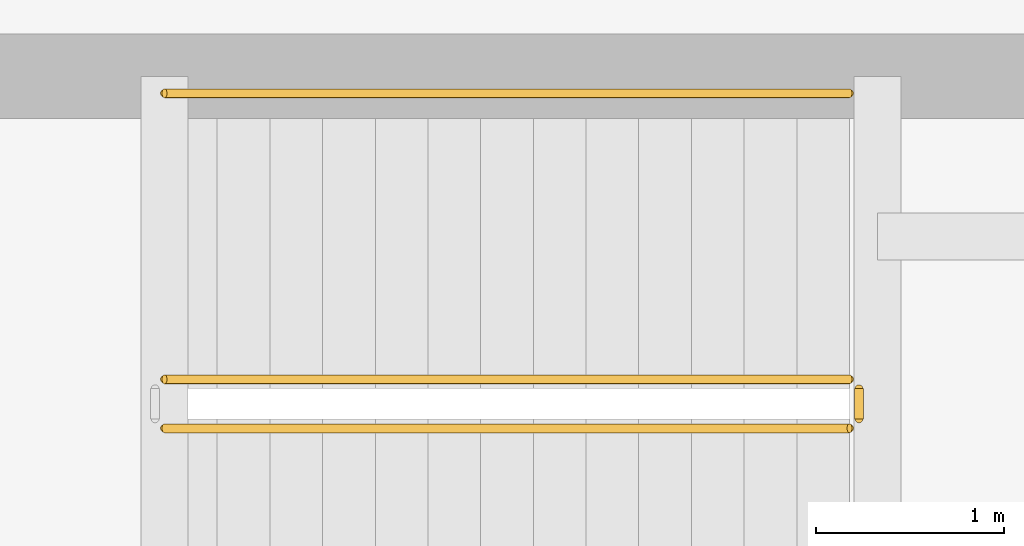
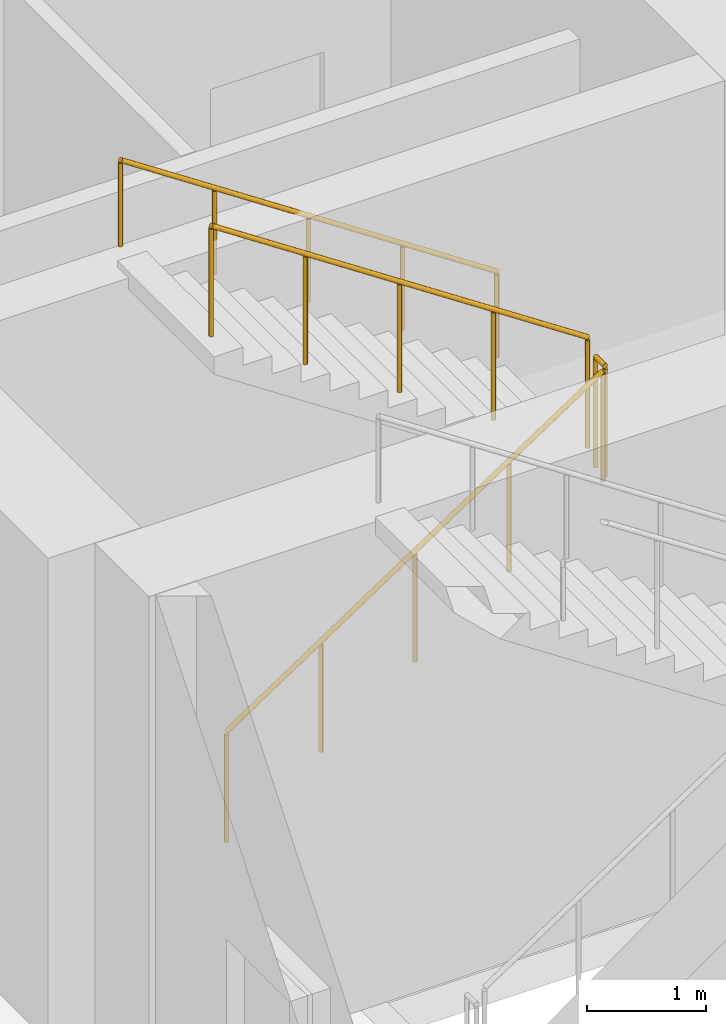
# One storey, part 11 of 12: 4 railings.
"""IFC4 building model written with IfcOpenShell, lengths in metres."""

from ifc_helpers import new_model, si_unit, direction, frame, origin, origin_2d, place, context, subcontext, project, spatial, circle, extrude, material, type_object, element, save


model = new_model("IFC4")

# Units and contexts
model_context = context("Model", 3, precision=1e-05, world=origin(), true_north=direction((0.0, 1.0)))
body_context = subcontext(model_context, "Body", "Model", "MODEL_VIEW")
ifc_project = project(units=[si_unit("LENGTHUNIT", "METRE"), si_unit("AREAUNIT", "SQUARE_METRE"), si_unit("VOLUMEUNIT", "CUBIC_METRE"), si_unit("PLANEANGLEUNIT", "RADIAN"), si_unit("MASSUNIT", "GRAM", prefix="KILO")], contexts=[model_context])

# Site, building, storey
site_placement = place(None, origin())
site = spatial("IfcSite", under=ifc_project, at=site_placement, CompositionType="ELEMENT")
building_placement = place(site_placement, origin())
building = spatial("IfcBuilding", under=site, at=building_placement, Name="Qingluan Cross Belvedere", CompositionType="ELEMENT")
storey_placement = place(building_placement, frame((0.0, 0.0, -5.199951171875)))
storey = spatial("IfcBuildingStorey", under=building, at=storey_placement, Name="B1", CompositionType="ELEMENT", Elevation=-5.199951171875)

# Railings
ifc_material_1 = material(Name="Brushed stainless steel tubular handrail", Category="steel")
railing_type_1 = type_object("IfcRailingType", Name="StairPitchHandrail_900", PredefinedType="HANDRAIL", material=ifc_material_1)
railing_1_placement = place(storey_placement, frame((9.820068359375, -3.050048828125, 2.78564453125)))
element("IfcRailing", 1, at=railing_1_placement, inside=storey, type_object=railing_type_1, Name="B1 ST2 stair handrail 2", PredefinedType="HANDRAIL", context=body_context, shape_type="SweptSolid", body=[
    extrude(circle(Radius=0.02392578125, at=origin_2d()), frame((0.0, 0.0, 0.8759765625), z_axis=(-0.833363587613, 0.0, 0.552725185641), x_axis=(0.0, -1.0, 0.0)), (0.0, 0.0, 1.0), 4.367919921875),
    extrude(circle(Radius=0.02099609375, at=origin_2d()), origin(), (0.0, 0.0, 1.0), 0.851806640625),
    extrude(circle(Radius=0.02099609375, at=origin_2d()), frame((-0.91015625, 0.0, 0.603515625)), (0.0, 0.0, 1.0), 0.851806640625),
    extrude(circle(Radius=0.02099609375, at=origin_2d()), frame((-1.820068359375, 0.0, 1.20703125)), (0.0, 0.0, 1.0), 0.851806640625),
    extrude(circle(Radius=0.02099609375, at=origin_2d()), frame((-2.72998046875, 0.0, 1.810791015625)), (0.0, 0.0, 1.0), 0.851806640625),
    extrude(circle(Radius=0.02099609375, at=origin_2d()), frame((-3.64013671875, 0.0, 2.414306640625)), (0.0, 0.0, 1.0), 0.851806640625),
])
ifc_material_2 = material(Name="Painted steel stair well guard", Category="steel")
railing_type_2 = type_object("IfcRailingType", Name="StairWellGuard_1150", PredefinedType="BALUSTRADE", material=ifc_material_2)
railing_2_placement = place(storey_placement, frame((6.179931640625, -4.830078125, 0.185546875)))
element("IfcRailing", 2, at=railing_2_placement, inside=storey, type_object=railing_type_2, Name="B1 ST2 stair guard 1", PredefinedType="BALUSTRADE", context=body_context, shape_type="SweptSolid", body=[
    extrude(circle(Radius=0.02392578125, at=origin_2d()), frame((0.0, 0.0, 1.1259765625), z_axis=(0.833363587613, 0.0, 0.552725185641), x_axis=(0.0, 1.0, 0.0)), (0.0, 0.0, 1.0), 4.367919921875),
    extrude(circle(Radius=0.02099609375, at=origin_2d()), origin(), (0.0, 0.0, 1.0), 1.101806640625),
    extrude(circle(Radius=0.02099609375, at=origin_2d()), frame((0.91015625, 0.0, 0.603515625)), (0.0, 0.0, 1.0), 1.101806640625),
    extrude(circle(Radius=0.02099609375, at=origin_2d()), frame((1.820068359375, 0.0, 1.20703125)), (0.0, 0.0, 1.0), 1.101806640625),
    extrude(circle(Radius=0.02099609375, at=origin_2d()), frame((2.72998046875, 0.0, 1.810791015625)), (0.0, 0.0, 1.0), 1.101806640625),
    extrude(circle(Radius=0.02099609375, at=origin_2d()), frame((3.64013671875, 0.0, 2.414306640625)), (0.0, 0.0, 1.0), 1.101806640625),
])
railing_3_placement = place(storey_placement, frame((9.8701171875, -4.780029296875, 2.599853515625)))
element("IfcRailing", 3, at=railing_3_placement, inside=storey, type_object=railing_type_2, Name="B1 ST2 stair guard 2", PredefinedType="BALUSTRADE", context=body_context, shape_type="SweptSolid", body=[
    extrude(circle(Radius=0.02392578125, at=origin_2d()), frame((0.0, 0.0, 1.1259765625), z_axis=(0.0, 1.0, 0.0), x_axis=(-1.0, 0.0, 0.0)), (0.0, 0.0, 1.0), 0.159912109375),
    extrude(circle(Radius=0.02099609375, at=origin_2d()), origin(), (0.0, 0.0, 1.0), 1.101806640625),
    extrude(circle(Radius=0.02099609375, at=origin_2d()), frame((0.0, 0.159912109375, 0.0)), (0.0, 0.0, 1.0), 1.101806640625),
])
railing_4_placement = place(storey_placement, frame((9.820068359375, -4.570068359375, 2.78564453125)))
element("IfcRailing", 4, at=railing_4_placement, inside=storey, type_object=railing_type_2, Name="B1 ST2 stair guard 3", PredefinedType="BALUSTRADE", context=body_context, shape_type="SweptSolid", body=[
    extrude(circle(Radius=0.02392578125, at=origin_2d()), frame((0.0, 0.0, 1.1259765625), z_axis=(-0.833363587613, 0.0, 0.552725185641), x_axis=(0.0, -1.0, 0.0)), (0.0, 0.0, 1.0), 4.367919921875),
    extrude(circle(Radius=0.02099609375, at=origin_2d()), origin(), (0.0, 0.0, 1.0), 1.101806640625),
    extrude(circle(Radius=0.02099609375, at=origin_2d()), frame((-0.91015625, 0.0, 0.603515625)), (0.0, 0.0, 1.0), 1.101806640625),
    extrude(circle(Radius=0.02099609375, at=origin_2d()), frame((-1.820068359375, 0.0, 1.20703125)), (0.0, 0.0, 1.0), 1.101806640625),
    extrude(circle(Radius=0.02099609375, at=origin_2d()), frame((-2.72998046875, 0.0, 1.810791015625)), (0.0, 0.0, 1.0), 1.101806640625),
    extrude(circle(Radius=0.02099609375, at=origin_2d()), frame((-3.64013671875, 0.0, 2.414306640625)), (0.0, 0.0, 1.0), 1.101806640625),
])

save(model, "model.ifc")
